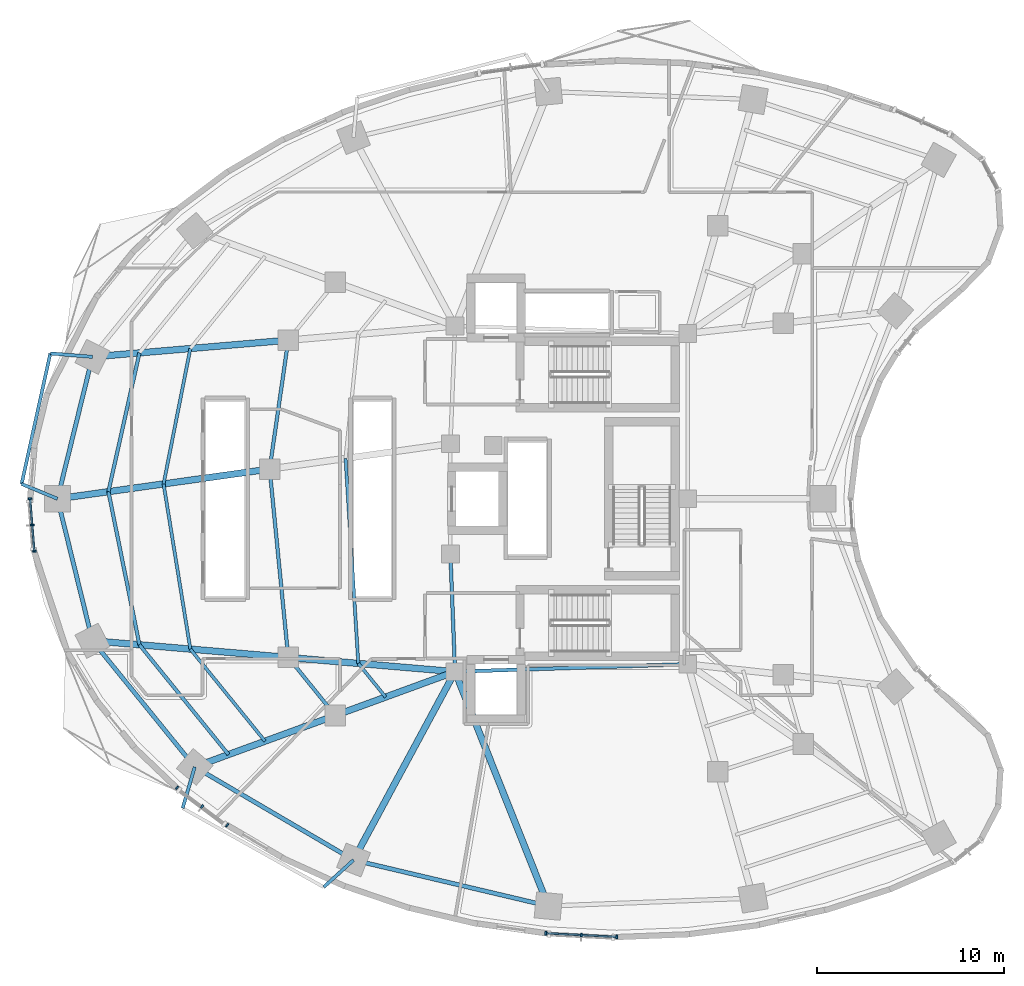
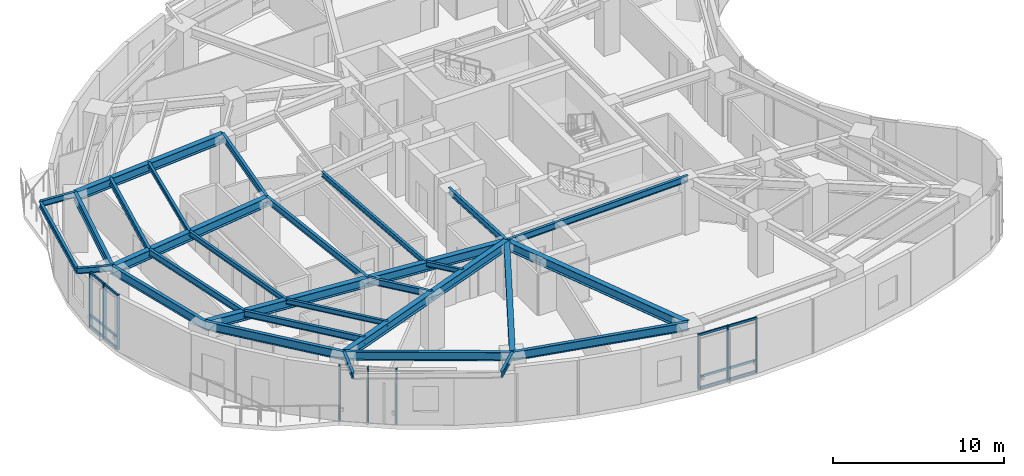
# One storey, part 2 of 14: 31 beams, 21 members, 3 elements without a shape of their own.
"""IFC4 building model written with IfcOpenShell, lengths in metres."""

from ifc_helpers import new_model, si_unit, direction, frame, origin, origin_2d, place, context, subcontext, project, spatial, rectangle, i_section, extrude, material, layer, layer_set, material_profile, profile_set, type_object, element, aggregate, save


model = new_model("IFC4")

# Units and contexts
model_context = context("Model", 3, precision=1e-05, world=origin(), true_north=direction((0.0, 1.0)))
body_context = subcontext(model_context, "Body", "Model", "MODEL_VIEW")
ifc_project = project(units=[si_unit("LENGTHUNIT", "METRE"), si_unit("AREAUNIT", "SQUARE_METRE"), si_unit("VOLUMEUNIT", "CUBIC_METRE"), si_unit("PLANEANGLEUNIT", "RADIAN"), si_unit("MASSUNIT", "GRAM", prefix="KILO")], contexts=[model_context])

# Site, building, storey
site_placement = place(None, origin())
site = spatial("IfcSite", under=ifc_project, at=site_placement, CompositionType="ELEMENT")
building_placement = place(site_placement, origin())
building = spatial("IfcBuilding", under=site, at=building_placement, Name="Korentha Bioscience Tower", CompositionType="ELEMENT")
storey_placement = place(building_placement, frame((0.0, 0.0, 46.800048828125)))
storey = spatial("IfcBuildingStorey", under=building, at=storey_placement, Name="L10", CompositionType="ELEMENT", Elevation=46.800048828125)

# Beams
ifc_material_1 = material(Name="Steel S355", Category="steel")
ifc_material_profile_1 = material_profile(ifc_material_1, i_section(OverallWidth=0.18994140625, OverallDepth=0.45703125, WebThickness=0.009033203125, FlangeThickness=0.014404296875, at=origin_2d()), Name="Steel S355")
ifc_profile_set_1 = profile_set([ifc_material_profile_1], Name="Steel S355 (MB-460)")
beam_type_1 = type_object("IfcBeamType", Name="Mid-Ring Tie Girder W460x74", PredefinedType="BEAM", material=ifc_profile_set_1)
beam_1_placement = place(storey_placement, frame((16.174072265625, 35.489013671875, 3.67138671875), z_axis=(-0.14286846228, -0.989741684727, 0.0), x_axis=(0.989741684727, -0.14286846228, 0.0)))
element("IfcBeam", 1, at=beam_1_placement, inside=storey, type_object=beam_type_1, Name="L10 Mid-Ring Tie Girder 06", PredefinedType="BEAM", context=body_context, shape_type="SweptSolid", body=[
    extrude(i_section(OverallWidth=0.18994140625, OverallDepth=0.45703125, WebThickness=0.009033203125, FlangeThickness=0.014404296875, at=origin_2d()), origin(), (0.0, 0.0, 1.0), 6.967041015625),
])
beam_2_placement = place(storey_placement, frame((15.1787109375, 28.593505859375, 3.67138671875), z_axis=(0.098243909277, -0.995162365793, 0.0), x_axis=(0.995162365793, 0.098243909277, 0.0)))
element("IfcBeam", 2, at=beam_2_placement, inside=storey, type_object=beam_type_1, Name="L10 Mid-Ring Tie Girder 07", PredefinedType="BEAM", context=body_context, shape_type="SweptSolid", body=[
    extrude(i_section(OverallWidth=0.18994140625, OverallDepth=0.45703125, WebThickness=0.009033203125, FlangeThickness=0.014404296875, at=origin_2d()), origin(), (0.0, 0.0, 1.0), 10.131591796875),
])
beam_3_placement = place(storey_placement, frame((16.174072265625, 18.510986328125, 3.67138671875), z_axis=(0.629790009744, -0.776765436684, 0.0), x_axis=(0.776765436684, 0.629790009744, 0.0)))
element("IfcBeam", 3, at=beam_3_placement, inside=storey, type_object=beam_type_1, Name="L10 Mid-Ring Tie Girder 08", PredefinedType="BEAM", context=body_context, shape_type="SweptSolid", body=[
    extrude(i_section(OverallWidth=0.18994140625, OverallDepth=0.45703125, WebThickness=0.009033203125, FlangeThickness=0.014404296875, at=origin_2d()), origin(), (0.0, 0.0, 1.0), 3.998291015625),
])
beam_4_placement = place(storey_placement, frame((24.85009765625, 24.050048828125, 3.67138671875), z_axis=(0.039651025576, -0.999213588864, 0.0), x_axis=(0.999213588864, 0.039651025576, 0.0)))
element("IfcBeam", 4, at=beam_4_placement, inside=storey, type_object=beam_type_1, Name="L10 Core Ring Tie Girder 04", PredefinedType="BEAM", context=body_context, shape_type="SweptSolid", body=[
    extrude(i_section(OverallWidth=0.18994140625, OverallDepth=0.45703125, WebThickness=0.009033203125, FlangeThickness=0.014404296875, at=origin_2d()), origin(), (0.0, 0.0, 1.0), 6.304931640625),
])
beam_5_placement = place(storey_placement, frame((25.10009765625, 17.75, 3.67138671875), z_axis=(0.999484526071, 0.032104238723, 0.0), x_axis=(-0.032104238723, 0.999484526071, 0.0)))
element("IfcBeam", 5, at=beam_5_placement, inside=storey, type_object=beam_type_1, Name="L10 Core Ring Tie Girder 05", PredefinedType="BEAM", context=body_context, shape_type="SweptSolid", body=[
    extrude(i_section(OverallWidth=0.18994140625, OverallDepth=0.45703125, WebThickness=0.009033203125, FlangeThickness=0.014404296875, at=origin_2d()), origin(), (0.0, 0.0, 1.0), 12.456298828125),
])

# Curtain wall, members
ifc_material_2 = material(Name="Thermally Broken Aluminium Frame", Category="aluminium")
ifc_layer = layer(ifc_material_2, 0.219970703125, Name="Thermally Broken Aluminium Frame")
ifc_layer_set = layer_set([ifc_layer], Name="Thermally Broken Aluminium Frame (CW-T2)")
curtain_wall_type = type_object("IfcCurtainWallType", Name="Solar-Screened Lab Unitised Curtain Wall CW-T2", PredefinedType="USERDEFINED", material=ifc_layer_set)
curtain_wall_1_placement = place(storey_placement, origin())
curtain_wall_1 = element("IfcCurtainWall", 6, at=curtain_wall_1_placement, inside=storey, type_object=curtain_wall_type, Name="L10 Curtain Wall 19", ObjectType="UNITISED", PredefinedType="USERDEFINED")
ifc_material_3 = material(Name="Anodised Aluminium 6063-T6", Category="aluminium")
ifc_material_profile_2 = material_profile(ifc_material_3, rectangle(XDim=0.090087890625, YDim=0.199951171875, at=origin_2d()), Name="Anodised Aluminium 6063-T6")
ifc_profile_set_2 = profile_set([ifc_material_profile_2], Name="Anodised Aluminium 6063-T6 (CW-MUL)")
member_type_1 = type_object("IfcMemberType", Name="Mullion RECT 90x200", PredefinedType="MULLION", material=ifc_profile_set_2)
member_1_placement = place(storey_placement, frame((2.35986328125, 27.0078125, 0.0), z_axis=(0.0, 0.0, 1.0), x_axis=(0.080820466375, -0.996728675325, 0.0)))
member_1 = element("IfcMember", 7, at=member_1_placement, type_object=member_type_1, Name="CW-L10-19 Mullion 1", PredefinedType="MULLION", context=body_context, shape_type="SweptSolid", body=[
    extrude(rectangle(XDim=0.090087890625, YDim=0.199951171875, at=origin_2d()), origin(), (0.0, 0.0, 1.0), 3.89990234375),
])
member_2_placement = place(storey_placement, frame((2.474365234375, 25.597412109375, 0.0), z_axis=(0.0, 0.0, 1.0), x_axis=(0.080820466375, -0.996728675325, 0.0)))
member_2 = element("IfcMember", 8, at=member_2_placement, type_object=member_type_1, Name="CW-L10-19 Mullion 2", PredefinedType="MULLION", context=body_context, shape_type="SweptSolid", body=[
    extrude(rectangle(XDim=0.090087890625, YDim=0.199951171875, at=origin_2d()), origin(), (0.0, 0.0, 1.0), 3.89990234375),
])
member_3_placement = place(storey_placement, frame((2.588623046875, 24.187255859375, 0.0), z_axis=(0.0, 0.0, 1.0), x_axis=(0.080820466375, -0.996728675325, 0.0)))
member_3 = element("IfcMember", 9, at=member_3_placement, type_object=member_type_1, Name="CW-L10-19 Mullion 3", PredefinedType="MULLION", context=body_context, shape_type="SweptSolid", body=[
    extrude(rectangle(XDim=0.090087890625, YDim=0.199951171875, at=origin_2d()), origin(), (0.0, 0.0, 1.0), 3.89990234375),
])

curtain_wall_2_placement = place(storey_placement, origin())
curtain_wall_2 = element("IfcCurtainWall", 10, at=curtain_wall_2_placement, inside=storey, type_object=curtain_wall_type, Name="L10 Curtain Wall 25", ObjectType="UNITISED", PredefinedType="USERDEFINED")
member_4_placement = place(storey_placement, frame((10.2216796875, 11.538818359375, 0.0), z_axis=(0.0, 0.0, 1.0), x_axis=(0.800797909614, -0.598934644145, 0.0)))
member_4 = element("IfcMember", 11, at=member_4_placement, type_object=member_type_1, Name="CW-L10-25 Mullion 1", PredefinedType="MULLION", context=body_context, shape_type="SweptSolid", body=[
    extrude(rectangle(XDim=0.090087890625, YDim=0.199951171875, at=origin_2d()), origin(), (0.0, 0.0, 1.0), 3.89990234375),
])
member_5_placement = place(storey_placement, frame((11.5634765625, 10.53515625, 0.0), z_axis=(0.0, 0.0, 1.0), x_axis=(0.800797909614, -0.598934644145, 0.0)))
member_5 = element("IfcMember", 12, at=member_5_placement, type_object=member_type_1, Name="CW-L10-25 Mullion 2", PredefinedType="MULLION", context=body_context, shape_type="SweptSolid", body=[
    extrude(rectangle(XDim=0.090087890625, YDim=0.199951171875, at=origin_2d()), origin(), (0.0, 0.0, 1.0), 3.89990234375),
])
member_6_placement = place(storey_placement, frame((12.9052734375, 9.53173828125, 0.0), z_axis=(0.0, 0.0, 1.0), x_axis=(0.800797909614, -0.598934644145, 0.0)))
member_6 = element("IfcMember", 13, at=member_6_placement, type_object=member_type_1, Name="CW-L10-25 Mullion 3", PredefinedType="MULLION", context=body_context, shape_type="SweptSolid", body=[
    extrude(rectangle(XDim=0.090087890625, YDim=0.199951171875, at=origin_2d()), origin(), (0.0, 0.0, 1.0), 3.89990234375),
])
aggregate(curtain_wall_2, [member_4, member_5, member_6])

curtain_wall_3_placement = place(storey_placement, origin())
curtain_wall_3 = element("IfcCurtainWall", 14, at=curtain_wall_3_placement, inside=storey, type_object=curtain_wall_type, Name="L10 Curtain Wall 31", ObjectType="UNITISED", PredefinedType="USERDEFINED")
member_7_placement = place(storey_placement, frame((29.9541015625, 3.75244140625, 0.0), z_axis=(0.0, 0.0, 1.0), x_axis=(0.998730551641, -0.050371472279, 0.0)))
member_7 = element("IfcMember", 15, at=member_7_placement, type_object=member_type_1, Name="CW-L10-31 Mullion 1", PredefinedType="MULLION", context=body_context, shape_type="SweptSolid", body=[
    extrude(rectangle(XDim=0.090087890625, YDim=0.199951171875, at=origin_2d()), origin(), (0.0, 0.0, 1.0), 3.89990234375),
])
member_8_placement = place(storey_placement, frame((31.855224609375, 3.656494140625, 0.0), z_axis=(0.0, 0.0, 1.0), x_axis=(0.998730551641, -0.050371472279, 0.0)))
member_8 = element("IfcMember", 16, at=member_8_placement, type_object=member_type_1, Name="CW-L10-31 Mullion 2", PredefinedType="MULLION", context=body_context, shape_type="SweptSolid", body=[
    extrude(rectangle(XDim=0.090087890625, YDim=0.199951171875, at=origin_2d()), origin(), (0.0, 0.0, 1.0), 3.89990234375),
])
member_9_placement = place(storey_placement, frame((33.75634765625, 3.560791015625, 0.0), z_axis=(0.0, 0.0, 1.0), x_axis=(0.998730551641, -0.050371472279, 0.0)))
member_9 = element("IfcMember", 17, at=member_9_placement, type_object=member_type_1, Name="CW-L10-31 Mullion 3", PredefinedType="MULLION", context=body_context, shape_type="SweptSolid", body=[
    extrude(rectangle(XDim=0.090087890625, YDim=0.199951171875, at=origin_2d()), origin(), (0.0, 0.0, 1.0), 3.89990234375),
])

# Beams
ifc_material_profile_3 = material_profile(ifc_material_1, i_section(OverallWidth=0.22802734375, OverallDepth=0.60791015625, WebThickness=0.01123046875, FlangeThickness=0.017333984375, at=origin_2d()), Name="Steel S355")
ifc_profile_set_3 = profile_set([ifc_material_profile_3], Name="Steel S355 (SB-610)")
beam_type_2 = type_object("IfcBeamType", Name="Perimeter Ring Spandrel Girder W610x113", PredefinedType="SPANDREL", material=ifc_profile_set_3)
beam_6_placement = place(storey_placement, frame((5.69580078125, 34.595703125, 3.595947265625), z_axis=(-0.239119105624, -0.970990243682, 0.0), x_axis=(0.970990243682, -0.239119105624, 0.0)))
element("IfcBeam", 18, at=beam_6_placement, inside=storey, type_object=beam_type_2, Name="L10 Perimeter Spandrel Girder 06", PredefinedType="SPANDREL", context=body_context, shape_type="SweptSolid", body=[
    extrude(i_section(OverallWidth=0.22802734375, OverallDepth=0.60791015625, WebThickness=0.01123046875, FlangeThickness=0.017333984375, at=origin_2d()), origin(), (0.0, 0.0, 1.0), 7.82177734375),
])
beam_7_placement = place(storey_placement, frame((3.825439453125, 27.000732421875, 3.595947265625), z_axis=(0.23907563132, -0.971000948768, 0.0), x_axis=(0.971000948768, 0.23907563132, 0.0)))
element("IfcBeam", 19, at=beam_7_placement, inside=storey, type_object=beam_type_2, Name="L10 Perimeter Spandrel Girder 07", PredefinedType="SPANDREL", context=body_context, shape_type="SweptSolid", body=[
    extrude(i_section(OverallWidth=0.22802734375, OverallDepth=0.60791015625, WebThickness=0.01123046875, FlangeThickness=0.017333984375, at=origin_2d()), origin(), (0.0, 0.0, 1.0), 7.8232421875),
])
beam_8_placement = place(storey_placement, frame((5.69580078125, 19.404296875, 3.595947265625), z_axis=(0.629799210231, -0.776757976974, 0.0), x_axis=(0.776757976974, 0.629799210231, 0.0)))
element("IfcBeam", 20, at=beam_8_placement, inside=storey, type_object=beam_type_2, Name="L10 Perimeter Spandrel Girder 08", PredefinedType="SPANDREL", context=body_context, shape_type="SweptSolid", body=[
    extrude(i_section(OverallWidth=0.22802734375, OverallDepth=0.60791015625, WebThickness=0.01123046875, FlangeThickness=0.017333984375, at=origin_2d()), origin(), (0.0, 0.0, 1.0), 8.69189453125),
])
beam_9_placement = place(storey_placement, frame((11.169921875, 12.65283203125, 3.595947265625), z_axis=(0.862656574181, -0.505790109653, 0.0), x_axis=(0.505790109653, 0.862656574181, 0.0)))
element("IfcBeam", 21, at=beam_9_placement, inside=storey, type_object=beam_type_2, Name="L10 Perimeter Spandrel Girder 09", PredefinedType="SPANDREL", context=body_context, shape_type="SweptSolid", body=[
    extrude(i_section(OverallWidth=0.22802734375, OverallDepth=0.60791015625, WebThickness=0.01123046875, FlangeThickness=0.017333984375, at=origin_2d()), origin(), (0.0, 0.0, 1.0), 9.849365234375),
])
beam_10_placement = place(storey_placement, frame((19.66650390625, 7.671142578125, 3.595947265625), z_axis=(0.973207885376, -0.229926970672, 0.0), x_axis=(0.229926970672, 0.973207885376, 0.0)))
element("IfcBeam", 22, at=beam_10_placement, inside=storey, type_object=beam_type_2, Name="L10 Perimeter Spandrel Girder 10", PredefinedType="SPANDREL", context=body_context, shape_type="SweptSolid", body=[
    extrude(i_section(OverallWidth=0.22802734375, OverallDepth=0.60791015625, WebThickness=0.01123046875, FlangeThickness=0.017333984375, at=origin_2d()), origin(), (0.0, 0.0, 1.0), 10.71484375),
])
ifc_material_profile_4 = material_profile(ifc_material_1, i_section(OverallWidth=0.18994140625, OverallDepth=0.45703125, WebThickness=0.009033203125, FlangeThickness=0.014404296875, at=origin_2d()), Name="Steel S355")
ifc_profile_set_4 = profile_set([ifc_material_profile_4], Name="Steel S355 (RB-460)")
beam_type_3 = type_object("IfcBeamType", Name="Radial Laboratory Beam W460x74", PredefinedType="BEAM", material=ifc_profile_set_4)
beam_11_placement = place(storey_placement, frame((8.21044921875, 34.81005859375, 3.67138671875), z_axis=(-0.218146323162, -0.975916073077, 0.0), x_axis=(0.975916073077, -0.218146323162, 0.0)))
element("IfcBeam", 23, at=beam_11_placement, inside=storey, type_object=beam_type_3, Name="L10 Secondary Floor Beam JSTO-06", PredefinedType="BEAM", context=body_context, shape_type="SweptSolid", body=[
    extrude(i_section(OverallWidth=0.18994140625, OverallDepth=0.45703125, WebThickness=0.009033203125, FlangeThickness=0.014404296875, at=origin_2d()), origin(), (0.0, 0.0, 1.0), 7.6103515625),
])
beam_12_placement = place(storey_placement, frame((6.55029296875, 27.383056640625, 3.67138671875), z_axis=(0.198592296955, -0.980082190222, 0.0), x_axis=(0.980082190222, 0.198592296955, 0.0)))
element("IfcBeam", 24, at=beam_12_placement, inside=storey, type_object=beam_type_3, Name="L10 Secondary Floor Beam JSTO-07", PredefinedType="BEAM", context=body_context, shape_type="SweptSolid", body=[
    extrude(i_section(OverallWidth=0.18994140625, OverallDepth=0.45703125, WebThickness=0.009033203125, FlangeThickness=0.014404296875, at=origin_2d()), origin(), (0.0, 0.0, 1.0), 8.359619140625),
])
beam_13_placement = place(storey_placement, frame((8.21044921875, 19.18994140625, 3.67138671875), z_axis=(0.629797748553, -0.776759162107, 0.0), x_axis=(0.776759162107, 0.629797748553, 0.0)))
element("IfcBeam", 25, at=beam_13_placement, inside=storey, type_object=beam_type_3, Name="L10 Secondary Floor Beam JSTO-08", PredefinedType="BEAM", context=body_context, shape_type="SweptSolid", body=[
    extrude(i_section(OverallWidth=0.18994140625, OverallDepth=0.45703125, WebThickness=0.009033203125, FlangeThickness=0.014404296875, at=origin_2d()), origin(), (0.0, 0.0, 1.0), 7.5654296875),
])
ifc_material_profile_5 = material_profile(ifc_material_1, i_section(OverallWidth=0.35009765625, OverallDepth=0.64990234375, WebThickness=0.01611328125, FlangeThickness=0.02490234375, at=origin_2d()), Name="Steel S355")
ifc_profile_set_5 = profile_set([ifc_material_profile_5], Name="Steel S355 (RB-650)")
beam_type_4 = type_object("IfcBeamType", Name="Radial Laboratory Girder CVS 650x208", PredefinedType="BEAM", material=ifc_profile_set_5)
beam_14_placement = place(storey_placement, frame((16.174072265625, 35.489013671875, 3.574951171875), z_axis=(-0.996385601055, -0.084945476695, 0.0), x_axis=(0.084945476695, -0.996385601055, 0.0)))
element("IfcBeam", 26, at=beam_14_placement, inside=storey, type_object=beam_type_4, Name="L10 Outer Radial Girder 06", PredefinedType="BEAM", context=body_context, shape_type="SweptSolid", body=[
    extrude(i_section(OverallWidth=0.35009765625, OverallDepth=0.64990234375, WebThickness=0.01611328125, FlangeThickness=0.02490234375, at=origin_2d()), origin(), (0.0, 0.0, 1.0), 10.516357421875),
])
beam_15_placement = place(storey_placement, frame((15.1787109375, 28.593505859375, 3.574951171875), z_axis=(-0.99030199745, -0.138931471762, 0.0), x_axis=(0.138931471762, -0.99030199745, 0.0)))
element("IfcBeam", 27, at=beam_15_placement, inside=storey, type_object=beam_type_4, Name="L10 Outer Radial Girder 07", PredefinedType="BEAM", context=body_context, shape_type="SweptSolid", body=[
    extrude(i_section(OverallWidth=0.35009765625, OverallDepth=0.64990234375, WebThickness=0.01611328125, FlangeThickness=0.02490234375, at=origin_2d()), origin(), (0.0, 0.0, 1.0), 11.46435546875),
])
beam_16_placement = place(storey_placement, frame((25.10009765625, 17.75, 3.574951171875), z_axis=(-0.996385503026, 0.08494662654, 0.0), x_axis=(-0.08494662654, -0.996385503026, 0.0)))
element("IfcBeam", 28, at=beam_16_placement, inside=storey, type_object=beam_type_4, Name="L10 Inner Radial Girder 08", PredefinedType="BEAM", context=body_context, shape_type="SweptSolid", body=[
    extrude(i_section(OverallWidth=0.35009765625, OverallDepth=0.64990234375, WebThickness=0.01611328125, FlangeThickness=0.02490234375, at=origin_2d()), origin(), (0.0, 0.0, 1.0), 8.95849609375),
])
beam_17_placement = place(storey_placement, frame((16.174072265625, 18.510986328125, 3.574951171875), z_axis=(-0.996385601055, 0.084945476695, 0.0), x_axis=(-0.084945476695, -0.996385601055, 0.0)))
element("IfcBeam", 29, at=beam_17_placement, inside=storey, type_object=beam_type_4, Name="L10 Outer Radial Girder 08", PredefinedType="BEAM", context=body_context, shape_type="SweptSolid", body=[
    extrude(i_section(OverallWidth=0.35009765625, OverallDepth=0.64990234375, WebThickness=0.01611328125, FlangeThickness=0.02490234375, at=origin_2d()), origin(), (0.0, 0.0, 1.0), 10.516357421875),
])
beam_18_placement = place(storey_placement, frame((25.10009765625, 17.75, 3.574951171875), z_axis=(-0.939106237741, -0.343626940498, 0.0), x_axis=(0.343626940498, -0.939106237741, 0.0)))
element("IfcBeam", 30, at=beam_18_placement, inside=storey, type_object=beam_type_4, Name="L10 Inner Radial Girder 09", PredefinedType="BEAM", context=body_context, shape_type="SweptSolid", body=[
    extrude(i_section(OverallWidth=0.35009765625, OverallDepth=0.64990234375, WebThickness=0.01611328125, FlangeThickness=0.02490234375, at=origin_2d()), origin(), (0.0, 0.0, 1.0), 6.823486328125),
])
beam_19_placement = place(storey_placement, frame((18.692138671875, 15.4052734375, 3.574951171875), z_axis=(-0.939106299948, -0.343626770491, 0.0), x_axis=(0.343626770491, -0.939106299948, 0.0)))
element("IfcBeam", 31, at=beam_19_placement, inside=storey, type_object=beam_type_4, Name="L10 Outer Radial Girder 09", PredefinedType="BEAM", context=body_context, shape_type="SweptSolid", body=[
    extrude(i_section(OverallWidth=0.35009765625, OverallDepth=0.64990234375, WebThickness=0.01611328125, FlangeThickness=0.02490234375, at=origin_2d()), origin(), (0.0, 0.0, 1.0), 8.010009765625),
])
beam_20_placement = place(storey_placement, frame((25.10009765625, 17.75, 3.574951171875), z_axis=(-0.47454097106, -0.880233416081, 0.0), x_axis=(0.880233416081, -0.47454097106, 0.0)))
element("IfcBeam", 32, at=beam_20_placement, inside=storey, type_object=beam_type_4, Name="L10 Radial Girder 10", PredefinedType="BEAM", context=body_context, shape_type="SweptSolid", body=[
    extrude(i_section(OverallWidth=0.35009765625, OverallDepth=0.64990234375, WebThickness=0.01611328125, FlangeThickness=0.02490234375, at=origin_2d()), origin(), (0.0, 0.0, 1.0), 11.4501953125),
])
beam_21_placement = place(storey_placement, frame((25.10009765625, 17.75, 3.574951171875), z_axis=(0.369931007413, -0.929059228335, 0.0), x_axis=(0.929059228335, 0.369931007413, 0.0)))
element("IfcBeam", 33, at=beam_21_placement, inside=storey, type_object=beam_type_4, Name="L10 Radial Girder 11", PredefinedType="BEAM", context=body_context, shape_type="SweptSolid", body=[
    extrude(i_section(OverallWidth=0.35009765625, OverallDepth=0.64990234375, WebThickness=0.01611328125, FlangeThickness=0.02490234375, at=origin_2d()), origin(), (0.0, 0.0, 1.0), 13.500244140625),
])
ifc_material_profile_6 = material_profile(ifc_material_1, i_section(OverallWidth=0.1708984375, OverallDepth=0.35498046875, WebThickness=0.007080078125, FlangeThickness=0.01171875, at=origin_2d()), Name="Steel S355")
ifc_profile_set_6 = profile_set([ifc_material_profile_6], Name="Steel S355 (JB-360)")
beam_type_5 = type_object("IfcBeamType", Name="Secondary Laboratory Joist W360x51", PredefinedType="JOIST", material=ifc_profile_set_6)
beam_22_placement = place(storey_placement, frame((10.934814453125, 35.042236328125, 3.722412109375), z_axis=(-0.193979665978, -0.981005550029, 0.0), x_axis=(0.981005550029, -0.193979665978, 0.0)))
element("IfcBeam", 34, at=beam_22_placement, inside=storey, type_object=beam_type_5, Name="L10 Secondary Floor Beam JST-06", PredefinedType="JOIST", context=body_context, shape_type="SweptSolid", body=[
    extrude(i_section(OverallWidth=0.1708984375, OverallDepth=0.35498046875, WebThickness=0.007080078125, FlangeThickness=0.01171875, at=origin_2d()), origin(), (0.0, 0.0, 1.0), 7.385498046875),
])
beam_23_placement = place(storey_placement, frame((9.502197265625, 27.797119140625, 3.722412109375), z_axis=(0.159984999905, -0.987119445561, 0.0), x_axis=(0.987119445561, 0.159984999905, 0.0)))
element("IfcBeam", 35, at=beam_23_placement, inside=storey, type_object=beam_type_5, Name="L10 Secondary Floor Beam JST-07", PredefinedType="JOIST", context=body_context, shape_type="SweptSolid", body=[
    extrude(i_section(OverallWidth=0.1708984375, OverallDepth=0.35498046875, WebThickness=0.007080078125, FlangeThickness=0.01171875, at=origin_2d()), origin(), (0.0, 0.0, 1.0), 8.95458984375),
])
beam_24_placement = place(storey_placement, frame((19.240478515625, 29.1630859375, 3.722412109375), z_axis=(0.062074098012, -0.998071543706, 0.0), x_axis=(0.998071543706, 0.062074098012, 0.0)))
element("IfcBeam", 36, at=beam_24_placement, inside=storey, type_object=beam_type_5, Name="L10 Inner Bay Joist 07", PredefinedType="JOIST", context=body_context, shape_type="SweptSolid", body=[
    extrude(i_section(OverallWidth=0.1708984375, OverallDepth=0.35498046875, WebThickness=0.007080078125, FlangeThickness=0.01171875, at=origin_2d()), origin(), (0.0, 0.0, 1.0), 10.992919921875),
])
beam_25_placement = place(storey_placement, frame((10.934814453125, 18.957763671875, 3.722412109375), z_axis=(0.629786899984, -0.776767958021, 0.0), x_axis=(0.776767958021, 0.629786899984, 0.0)))
element("IfcBeam", 37, at=beam_25_placement, inside=storey, type_object=beam_type_5, Name="L10 Secondary Floor Beam JST-08", PredefinedType="JOIST", context=body_context, shape_type="SweptSolid", body=[
    extrude(i_section(OverallWidth=0.1708984375, OverallDepth=0.35498046875, WebThickness=0.007080078125, FlangeThickness=0.01171875, at=origin_2d()), origin(), (0.0, 0.0, 1.0), 6.34521484375),
])
beam_26_placement = place(storey_placement, frame((19.9228515625, 18.19140625, 3.722412109375), z_axis=(0.629791657613, -0.776764100613, 0.0), x_axis=(0.776764100613, 0.629791657613, 0.0)))
element("IfcBeam", 38, at=beam_26_placement, inside=storey, type_object=beam_type_5, Name="L10 Inner Bay Joist 08", PredefinedType="JOIST", context=body_context, shape_type="SweptSolid", body=[
    extrude(i_section(OverallWidth=0.1708984375, OverallDepth=0.35498046875, WebThickness=0.007080078125, FlangeThickness=0.01171875, at=origin_2d()), origin(), (0.0, 0.0, 1.0), 2.31884765625),
])
ifc_material_profile_7 = material_profile(ifc_material_1, i_section(OverallWidth=0.177978515625, OverallDepth=0.406982421875, WebThickness=0.0078125, FlangeThickness=0.0126953125, at=origin_2d()), Name="Steel S355")
ifc_profile_set_7 = profile_set([ifc_material_profile_7], Name="Steel S355 (CB-410)")
beam_type_6 = type_object("IfcBeamType", Name="Sun-Ledge Cantilever Beam W410x60", PredefinedType="BEAM", material=ifc_profile_set_7)
beam_27_placement = place(storey_placement, frame((5.69580078125, 34.595703125, 3.698486328125), z_axis=(-0.996665296281, 0.08159832835, 0.0), x_axis=(-0.08159832835, -0.996665296281, 0.0)))
element("IfcBeam", 39, at=beam_27_placement, inside=storey, type_object=beam_type_6, Name="L10 Balcony Cantilever Bracket A-L11-02", PredefinedType="BEAM", context=body_context, shape_type="SweptSolid", body=[
    extrude(i_section(OverallWidth=0.177978515625, OverallDepth=0.406982421875, WebThickness=0.0078125, FlangeThickness=0.0126953125, at=origin_2d()), origin(), (0.0, 0.0, 1.0), 2.261962890625),
])
beam_28_placement = place(storey_placement, frame((3.825439453125, 27.000732421875, 3.698486328125), z_axis=(-0.924185686215, 0.381943474084, 0.0), x_axis=(-0.381943474084, -0.924185686215, 0.0)))
element("IfcBeam", 40, at=beam_28_placement, inside=storey, type_object=beam_type_6, Name="L10 Balcony Cantilever Bracket B-L11-02", PredefinedType="BEAM", context=body_context, shape_type="SweptSolid", body=[
    extrude(i_section(OverallWidth=0.177978515625, OverallDepth=0.406982421875, WebThickness=0.0078125, FlangeThickness=0.0126953125, at=origin_2d()), origin(), (0.0, 0.0, 1.0), 2.077392578125),
])
beam_29_placement = place(storey_placement, frame((3.44140625, 34.7802734375, 3.698486328125), z_axis=(-0.214721790189, -0.976675254533, 0.0), x_axis=(0.976675254533, -0.214721790189, 0.0)))
element("IfcBeam", 41, at=beam_29_placement, inside=storey, type_object=beam_type_6, Name="L10 Balcony Edge Trimmer Beam L11-02", PredefinedType="BEAM", context=body_context, shape_type="SweptSolid", body=[
    extrude(i_section(OverallWidth=0.177978515625, OverallDepth=0.406982421875, WebThickness=0.0078125, FlangeThickness=0.0126953125, at=origin_2d()), origin(), (0.0, 0.0, 1.0), 7.15283203125),
])
beam_30_placement = place(storey_placement, frame((11.169921875, 12.65283203125, 3.698486328125), z_axis=(-0.28141880948, -0.959585042438, 0.0), x_axis=(0.959585042438, -0.28141880948, 0.0)))
element("IfcBeam", 42, at=beam_30_placement, inside=storey, type_object=beam_type_6, Name="L10 Balcony Cantilever Bracket A-L11-03", PredefinedType="BEAM", context=body_context, shape_type="SweptSolid", body=[
    extrude(i_section(OverallWidth=0.177978515625, OverallDepth=0.406982421875, WebThickness=0.0078125, FlangeThickness=0.0126953125, at=origin_2d()), origin(), (0.0, 0.0, 1.0), 2.299072265625),
])
beam_31_placement = place(storey_placement, frame((19.66650390625, 7.671142578125, 3.698486328125), z_axis=(-0.739345401474, -0.673326352759, 0.0), x_axis=(0.673326352759, -0.739345401474, 0.0)))
element("IfcBeam", 43, at=beam_31_placement, inside=storey, type_object=beam_type_6, Name="L10 Balcony Cantilever Bracket B-L11-03", PredefinedType="BEAM", context=body_context, shape_type="SweptSolid", body=[
    extrude(i_section(OverallWidth=0.177978515625, OverallDepth=0.406982421875, WebThickness=0.0078125, FlangeThickness=0.0126953125, at=origin_2d()), origin(), (0.0, 0.0, 1.0), 2.156005859375),
])

# Member
ifc_material_profile_8 = material_profile(ifc_material_3, rectangle(XDim=0.090087890625, YDim=0.159912109375, at=origin_2d()), Name="Anodised Aluminium 6063-T6")
ifc_profile_set_8 = profile_set([ifc_material_profile_8], Name="Anodised Aluminium 6063-T6 (CW-TRN)")
member_type_2 = type_object("IfcMemberType", Name="Transom RECT 90x160", PredefinedType="USERDEFINED", material=ifc_profile_set_8)
member_10_placement = place(storey_placement, frame((2.363525390625, 26.963134765625, 0.044921875), z_axis=(0.080880177847, -0.996723831777, 0.0), x_axis=(0.996723831777, 0.080880177847, 0.0)))
member_10 = element("IfcMember", 44, at=member_10_placement, type_object=member_type_2, Name="CW-L10-19 Bay 1 Transom 1", ObjectType="TRANSOM", PredefinedType="USERDEFINED", context=body_context, shape_type="SweptSolid", body=[
    extrude(rectangle(XDim=0.090087890625, YDim=0.159912109375, at=origin_2d()), origin(), (0.0, 0.0, 1.0), 1.3251953125),
])

member_11_placement = place(storey_placement, frame((2.363525390625, 26.963134765625, 0.849853515625), z_axis=(0.080880177847, -0.996723831777, 0.0), x_axis=(0.996723831777, 0.080880177847, 0.0)))
member_11 = element("IfcMember", 45, at=member_11_placement, type_object=member_type_2, Name="CW-L10-19 Bay 1 Transom 2", ObjectType="TRANSOM", PredefinedType="USERDEFINED", context=body_context, shape_type="SweptSolid", body=[
    extrude(rectangle(XDim=0.090087890625, YDim=0.159912109375, at=origin_2d()), origin(), (0.0, 0.0, 1.0), 1.3251953125),
])

member_12_placement = place(storey_placement, frame((2.363525390625, 26.963134765625, 3.85498046875), z_axis=(0.080880177847, -0.996723831777, 0.0), x_axis=(0.996723831777, 0.080880177847, 0.0)))
member_12 = element("IfcMember", 46, at=member_12_placement, type_object=member_type_2, Name="CW-L10-19 Bay 1 Transom 3", ObjectType="TRANSOM", PredefinedType="USERDEFINED", context=body_context, shape_type="SweptSolid", body=[
    extrude(rectangle(XDim=0.090087890625, YDim=0.159912109375, at=origin_2d()), origin(), (0.0, 0.0, 1.0), 1.3251953125),
])

member_13_placement = place(storey_placement, frame((2.477783203125, 25.552734375, 0.044921875), z_axis=(0.080880177847, -0.996723831777, 0.0), x_axis=(0.996723831777, 0.080880177847, 0.0)))
member_13 = element("IfcMember", 47, at=member_13_placement, type_object=member_type_2, Name="CW-L10-19 Bay 2 Transom 1", ObjectType="TRANSOM", PredefinedType="USERDEFINED", context=body_context, shape_type="SweptSolid", body=[
    extrude(rectangle(XDim=0.090087890625, YDim=0.159912109375, at=origin_2d()), origin(), (0.0, 0.0, 1.0), 1.3251953125),
])

member_14_placement = place(storey_placement, frame((2.477783203125, 25.552734375, 0.849853515625), z_axis=(0.080880177847, -0.996723831777, 0.0), x_axis=(0.996723831777, 0.080880177847, 0.0)))
member_14 = element("IfcMember", 48, at=member_14_placement, type_object=member_type_2, Name="CW-L10-19 Bay 2 Transom 2", ObjectType="TRANSOM", PredefinedType="USERDEFINED", context=body_context, shape_type="SweptSolid", body=[
    extrude(rectangle(XDim=0.090087890625, YDim=0.159912109375, at=origin_2d()), origin(), (0.0, 0.0, 1.0), 1.3251953125),
])

member_15_placement = place(storey_placement, frame((2.477783203125, 25.552734375, 3.85498046875), z_axis=(0.080880177847, -0.996723831777, 0.0), x_axis=(0.996723831777, 0.080880177847, 0.0)))
member_15 = element("IfcMember", 49, at=member_15_placement, type_object=member_type_2, Name="CW-L10-19 Bay 2 Transom 3", ObjectType="TRANSOM", PredefinedType="USERDEFINED", context=body_context, shape_type="SweptSolid", body=[
    extrude(rectangle(XDim=0.090087890625, YDim=0.159912109375, at=origin_2d()), origin(), (0.0, 0.0, 1.0), 1.3251953125),
])

aggregate(curtain_wall_1, [member_1, member_2, member_3, member_10, member_11, member_12, member_13, member_14, member_15])

member_16_placement = place(storey_placement, frame((29.9990234375, 3.750244140625, 0.044921875), z_axis=(0.998731776836, -0.050347174085, 0.0), x_axis=(0.050347174085, 0.998731776836, 0.0)))
member_16 = element("IfcMember", 50, at=member_16_placement, type_object=member_type_2, Name="CW-L10-31 Bay 1 Transom 1", ObjectType="TRANSOM", PredefinedType="USERDEFINED", context=body_context, shape_type="SweptSolid", body=[
    extrude(rectangle(XDim=0.090087890625, YDim=0.159912109375, at=origin_2d()), origin(), (0.0, 0.0, 1.0), 1.8134765625),
])

member_17_placement = place(storey_placement, frame((29.9990234375, 3.750244140625, 0.849853515625), z_axis=(0.998731776836, -0.050347174085, 0.0), x_axis=(0.050347174085, 0.998731776836, 0.0)))
member_17 = element("IfcMember", 51, at=member_17_placement, type_object=member_type_2, Name="CW-L10-31 Bay 1 Transom 2", ObjectType="TRANSOM", PredefinedType="USERDEFINED", context=body_context, shape_type="SweptSolid", body=[
    extrude(rectangle(XDim=0.090087890625, YDim=0.159912109375, at=origin_2d()), origin(), (0.0, 0.0, 1.0), 1.8134765625),
])

member_18_placement = place(storey_placement, frame((29.9990234375, 3.750244140625, 3.85498046875), z_axis=(0.998731776836, -0.050347174085, 0.0), x_axis=(0.050347174085, 0.998731776836, 0.0)))
member_18 = element("IfcMember", 52, at=member_18_placement, type_object=member_type_2, Name="CW-L10-31 Bay 1 Transom 3", ObjectType="TRANSOM", PredefinedType="USERDEFINED", context=body_context, shape_type="SweptSolid", body=[
    extrude(rectangle(XDim=0.090087890625, YDim=0.159912109375, at=origin_2d()), origin(), (0.0, 0.0, 1.0), 1.8134765625),
])

member_19_placement = place(storey_placement, frame((31.900146484375, 3.654296875, 0.044921875), z_axis=(0.998731776836, -0.050347174085, 0.0), x_axis=(0.050347174085, 0.998731776836, 0.0)))
member_19 = element("IfcMember", 53, at=member_19_placement, type_object=member_type_2, Name="CW-L10-31 Bay 2 Transom 1", ObjectType="TRANSOM", PredefinedType="USERDEFINED", context=body_context, shape_type="SweptSolid", body=[
    extrude(rectangle(XDim=0.090087890625, YDim=0.159912109375, at=origin_2d()), origin(), (0.0, 0.0, 1.0), 1.8134765625),
])

member_20_placement = place(storey_placement, frame((31.900146484375, 3.654296875, 0.849853515625), z_axis=(0.998731776836, -0.050347174085, 0.0), x_axis=(0.050347174085, 0.998731776836, 0.0)))
member_20 = element("IfcMember", 54, at=member_20_placement, type_object=member_type_2, Name="CW-L10-31 Bay 2 Transom 2", ObjectType="TRANSOM", PredefinedType="USERDEFINED", context=body_context, shape_type="SweptSolid", body=[
    extrude(rectangle(XDim=0.090087890625, YDim=0.159912109375, at=origin_2d()), origin(), (0.0, 0.0, 1.0), 1.8134765625),
])

member_21_placement = place(storey_placement, frame((31.900146484375, 3.654296875, 3.85498046875), z_axis=(0.998731776836, -0.050347174085, 0.0), x_axis=(0.050347174085, 0.998731776836, 0.0)))
member_21 = element("IfcMember", 55, at=member_21_placement, type_object=member_type_2, Name="CW-L10-31 Bay 2 Transom 3", ObjectType="TRANSOM", PredefinedType="USERDEFINED", context=body_context, shape_type="SweptSolid", body=[
    extrude(rectangle(XDim=0.090087890625, YDim=0.159912109375, at=origin_2d()), origin(), (0.0, 0.0, 1.0), 1.8134765625),
])

aggregate(curtain_wall_3, [member_7, member_8, member_9, member_16, member_17, member_18, member_19, member_20, member_21])

save(model, "model.ifc")
